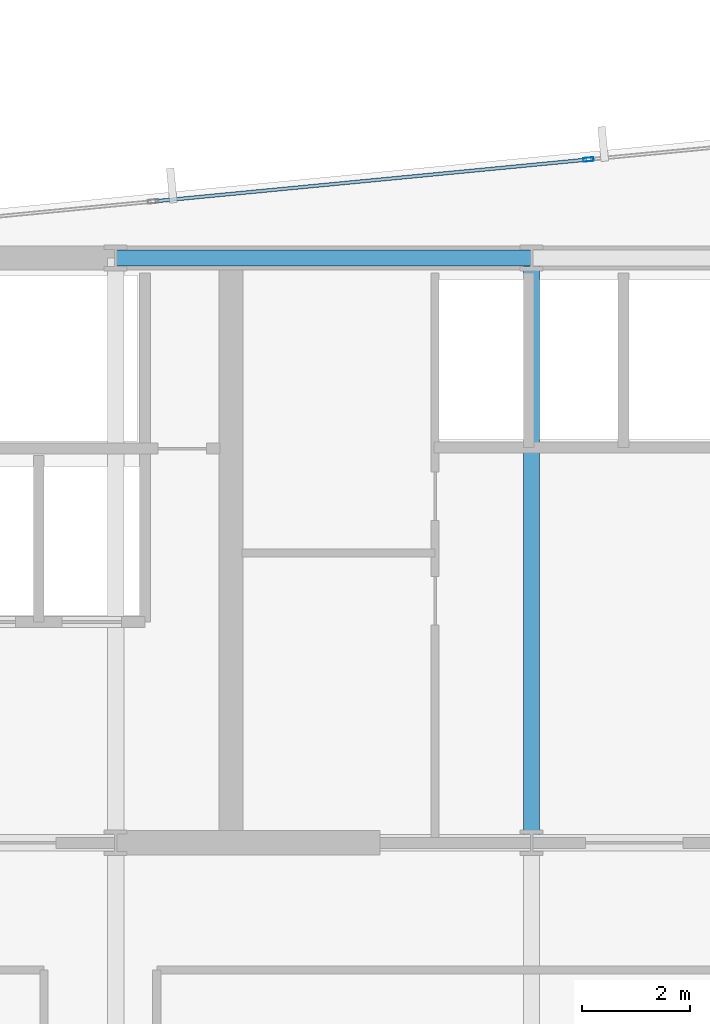
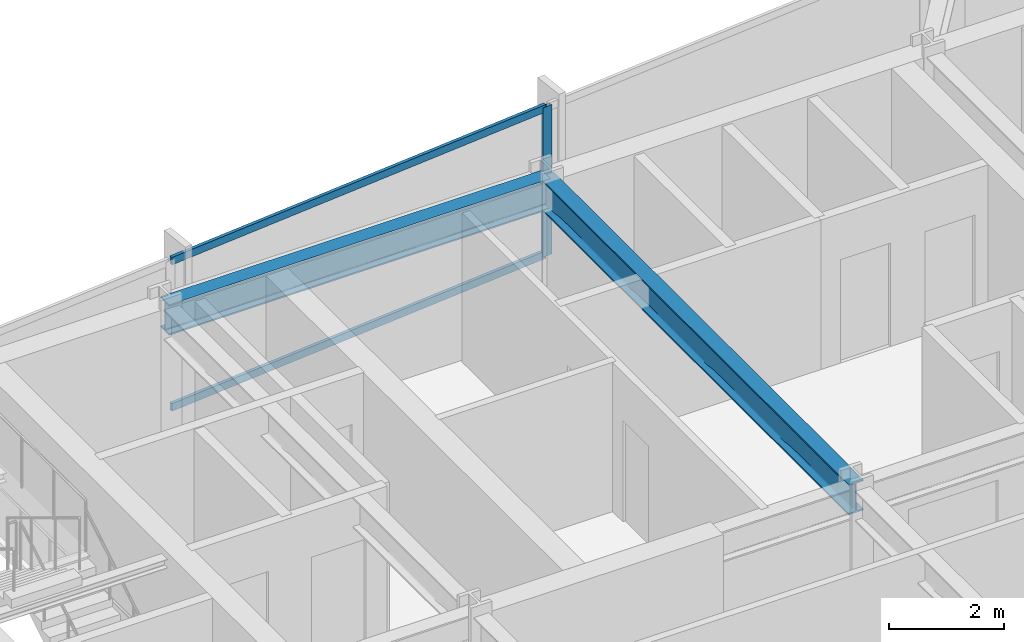
# One storey, part 19 of 32: 3 members, 2 beams, 1 element without a shape of its own.
"""IFC4 building model written with IfcOpenShell, lengths in metres."""

from ifc_helpers import new_model, si_unit, direction, frame, origin, origin_2d, place, context, subcontext, project, spatial, hollow_rectangle, i_section, extrude, material, material_profile, profile_set, type_object, element, aggregate, save


model = new_model("IFC4")

# Units and contexts
model_context = context("Model", 3, precision=1e-05, world=origin(), true_north=direction((0.0, 1.0)))
body_context = subcontext(model_context, "Body", "Model", "MODEL_VIEW")
ifc_project = project(units=[si_unit("LENGTHUNIT", "METRE"), si_unit("AREAUNIT", "SQUARE_METRE"), si_unit("VOLUMEUNIT", "CUBIC_METRE"), si_unit("PLANEANGLEUNIT", "RADIAN"), si_unit("MASSUNIT", "GRAM", prefix="KILO")], contexts=[model_context])

# Site, building, storey
site_placement = place(None, origin())
site = spatial("IfcSite", under=ifc_project, at=site_placement, CompositionType="ELEMENT")
building_placement = place(site_placement, origin())
building = spatial("IfcBuilding", under=site, at=building_placement, Name="Yelkora Congress Tower", CompositionType="ELEMENT")
storey_placement = place(building_placement, frame((0.0, 0.0, 99.89990234375)))
storey = spatial("IfcBuildingStorey", under=building, at=storey_placement, Name="L26", CompositionType="ELEMENT", Elevation=99.89990234375)

# Beams
ifc_material_1 = material(Name="Steel S355J2", Category="steel")
ifc_material_profile_1 = material_profile(ifc_material_1, i_section(OverallWidth=0.300048828125, OverallDepth=0.64990234375, WebThickness=0.01611328125, FlangeThickness=0.031005859375, FilletRadius=0.027099609375, at=origin_2d()), Name="HEB 650")
ifc_profile_set_1 = profile_set([ifc_material_profile_1], Name="Steel S355J2")
beam_type = type_object("IfcBeamType", Name="BM-GIRD-HEB650", PredefinedType="BEAM", material=ifc_profile_set_1)
beam_1_placement = place(storey_placement, frame((30.719970703125, 46.199951171875, 2.85498046875), z_axis=(1.0, 0.0, 0.0), x_axis=(0.0, 1.0, 0.0)))
element("IfcBeam", 1, at=beam_1_placement, inside=storey, type_object=beam_type, Name="L26 Core North Girder 3", PredefinedType="BEAM", context=body_context, shape_type="SweptSolid", body=[
    extrude(i_section(OverallWidth=0.300048828125, OverallDepth=0.64990234375, WebThickness=0.01611328125, FlangeThickness=0.031005859375, FilletRadius=0.027099609375, at=origin_2d()), origin(), (0.0, 0.0, 1.0), 7.679931640625),
])
beam_2_placement = place(storey_placement, frame((38.39990234375, 35.39990234375, 2.85498046875), z_axis=(0.0, 1.0, 0.0), x_axis=(-1.0, 0.0, 0.0)))
element("IfcBeam", 2, at=beam_2_placement, inside=storey, type_object=beam_type, Name="L26 Core Tie Girder MC-S3", PredefinedType="BEAM", context=body_context, shape_type="SweptSolid", body=[
    extrude(i_section(OverallWidth=0.300048828125, OverallDepth=0.64990234375, WebThickness=0.01611328125, FlangeThickness=0.031005859375, FilletRadius=0.027099609375, at=origin_2d()), origin(), (0.0, 0.0, 1.0), 10.800048828125),
])

# Curtain wall, members
ifc_material_2 = material(Name="Anodised aluminium and insulated glass", Category="aluminium")
curtain_wall_type = type_object("IfcCurtainWallType", Name="CW-SYS-B2", PredefinedType="NOTDEFINED", material=ifc_material_2)
curtain_wall_placement = place(storey_placement, origin())
curtain_wall = element("IfcCurtainWall", 3, at=curtain_wall_placement, inside=storey, type_object=curtain_wall_type, Name="L26 Unitised Curtain Wall 10 (3)", PredefinedType="NOTDEFINED")
ifc_material_3 = material(Name="Anodised aluminium 6063-T6", Category="aluminium")
ifc_material_profile_2 = material_profile(ifc_material_3, hollow_rectangle(XDim=0.070068359375, YDim=0.18994140625, WallThickness=0.00390625, at=origin_2d()), Name="ALU 70x190x4")
ifc_profile_set_2 = profile_set([ifc_material_profile_2], Name="Anodised aluminium 6063-T6")
member_type_1 = type_object("IfcMemberType", Name="MEM-ML-B2", PredefinedType="MULLION", material=ifc_profile_set_2)
member_1_placement = place(storey_placement, frame((39.451904296875, 48.018310546875, 0.0), z_axis=(0.0, 0.0, 1.0), x_axis=(-0.095844238468, 0.995396344153, 0.0)))
member_1 = element("IfcMember", 4, at=member_1_placement, type_object=member_type_1, Name="CW-B2 mullion 3", PredefinedType="MULLION", context=body_context, shape_type="SweptSolid", body=[
    extrude(hollow_rectangle(XDim=0.070068359375, YDim=0.18994140625, WallThickness=0.00390625, at=origin_2d()), origin(), (0.0, 0.0, 1.0), 3.18017578125),
])
ifc_material_profile_3 = material_profile(ifc_material_3, hollow_rectangle(XDim=0.06494140625, YDim=0.159912109375, WallThickness=0.00390625, at=origin_2d()), Name="ALU 65x160x4")
ifc_profile_set_3 = profile_set([ifc_material_profile_3], Name="Anodised aluminium 6063-T6")
member_type_2 = type_object("IfcMemberType", Name="MEM-TR-B2", PredefinedType="USERDEFINED", material=ifc_profile_set_3)
member_2_placement = place(storey_placement, frame((31.44677734375, 47.24755859375, 0.03271484375), z_axis=(0.995397793901, 0.09582918082, 0.0), x_axis=(-0.09582918082, 0.995397793901, 0.0)))
member_2 = element("IfcMember", 5, at=member_2_placement, type_object=member_type_2, Name="CW-B2 transom 2.1", ObjectType="TRANSOM", PredefinedType="USERDEFINED", context=body_context, shape_type="SweptSolid", body=[
    extrude(hollow_rectangle(XDim=0.06494140625, YDim=0.159912109375, WallThickness=0.00390625, at=origin_2d()), origin(), (0.0, 0.0, 1.0), 8.00732421875),
])
member_3_placement = place(storey_placement, frame((31.44677734375, 47.24755859375, 3.147705078125), z_axis=(0.995397793901, 0.09582918082, 0.0), x_axis=(-0.09582918082, 0.995397793901, 0.0)))
member_3 = element("IfcMember", 6, at=member_3_placement, type_object=member_type_2, Name="CW-B2 transom 2.2", ObjectType="TRANSOM", PredefinedType="USERDEFINED", context=body_context, shape_type="SweptSolid", body=[
    extrude(hollow_rectangle(XDim=0.06494140625, YDim=0.159912109375, WallThickness=0.00390625, at=origin_2d()), origin(), (0.0, 0.0, 1.0), 8.00732421875),
])
aggregate(curtain_wall, [member_1, member_2, member_3])

save(model, "model.ifc")
